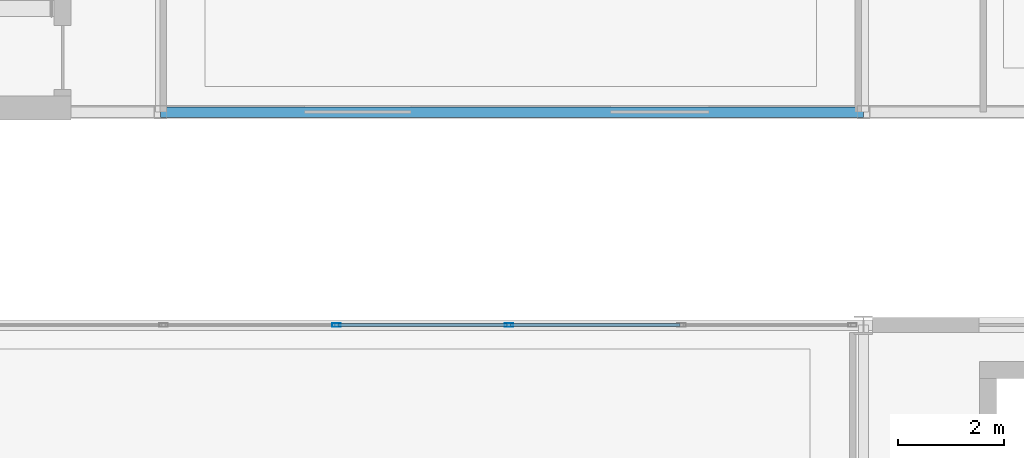
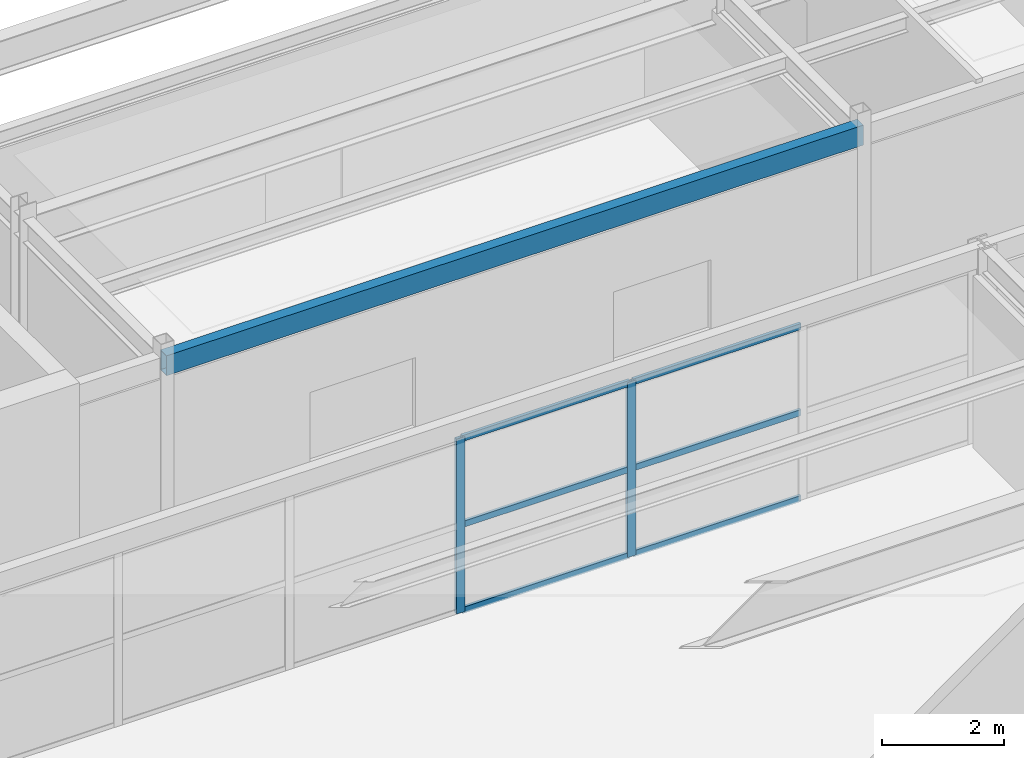
# One storey, part 21 of 147: 8 members, 1 beam, 1 element without a shape of its own.
"""IFC4 building model written with IfcOpenShell, lengths in metres."""

from ifc_helpers import new_model, si_unit, direction, frame, origin, origin_2d, place, context, subcontext, project, spatial, hollow_rectangle, extrude, material, material_profile, profile_set, type_object, element, aggregate, save


model = new_model("IFC4")

# Units and contexts
model_context = context("Model", 3, precision=1e-05, world=origin(), true_north=direction((0.0, 1.0)))
body_context = subcontext(model_context, "Body", "Model", "MODEL_VIEW")
ifc_project = project(units=[si_unit("LENGTHUNIT", "METRE"), si_unit("AREAUNIT", "SQUARE_METRE"), si_unit("VOLUMEUNIT", "CUBIC_METRE"), si_unit("PLANEANGLEUNIT", "RADIAN"), si_unit("MASSUNIT", "GRAM", prefix="KILO")], contexts=[model_context])

# Site, building, storey
site_placement = place(None, origin())
site = spatial("IfcSite", under=ifc_project, at=site_placement, CompositionType="ELEMENT")
building_placement = place(site_placement, origin())
building = spatial("IfcBuilding", under=site, at=building_placement, Name="Karori Crest Natural Sciences Institute", CompositionType="ELEMENT")
storey_placement = place(building_placement, frame((0.0, 0.0, 9.10009765625)))
storey = spatial("IfcBuildingStorey", under=building, at=storey_placement, Name="L02", CompositionType="ELEMENT", Elevation=9.10009765625)

# Beam
ifc_material_1 = material(Name="Hollow structural steel AS/NZS 1163 Grade C350", Category="steel")
ifc_material_profile_1 = material_profile(ifc_material_1, hollow_rectangle(XDim=0.199951171875, YDim=0.39990234375, WallThickness=0.012451171875, at=origin_2d()), Name="RHS400x200x12.5")
ifc_profile_set_1 = profile_set([ifc_material_profile_1], Name="Hollow structural steel AS/NZS 1163 Grade C350")
beam_type = type_object("IfcBeamType", Name="BT-14", PredefinedType="SPANDREL", material=ifc_profile_set_1)
beam_placement = place(storey_placement, frame((7.39990234375, 31.199951171875, 3.719970703125), z_axis=(1.0, 0.0, 0.0), x_axis=(0.0, 1.0, 0.0)))
element("IfcBeam", 1, at=beam_placement, inside=storey, type_object=beam_type, Name="Beam B-1077", PredefinedType="SPANDREL", context=body_context, shape_type="SweptSolid", body=[
    extrude(hollow_rectangle(XDim=0.199951171875, YDim=0.39990234375, WallThickness=0.012451171875, at=origin_2d()), origin(), (0.0, 0.0, 1.0), 13.2001953125),
])

# Curtain wall, members
ifc_material_2 = material(Name="Anodised architectural aluminium 6063-T6", Category="aluminium")
curtain_wall_type = type_object("IfcCurtainWallType", Name="CWT-16", PredefinedType="NOTDEFINED", material=ifc_material_2)
curtain_wall_placement = place(storey_placement, origin())
curtain_wall = element("IfcCurtainWall", 2, at=curtain_wall_placement, inside=storey, type_object=curtain_wall_type, Name="Curtain wall CW-0253", PredefinedType="NOTDEFINED")
ifc_material_profile_2 = material_profile(ifc_material_2, hollow_rectangle(XDim=0.06494140625, YDim=0.159912109375, WallThickness=0.00390625, at=origin_2d()), Name="CWM160x65x4")
ifc_profile_set_2 = profile_set([ifc_material_profile_2], Name="Anodised architectural aluminium 6063-T6")
member_type_1 = type_object("IfcMemberType", Name="CWM-01", PredefinedType="MULLION", material=ifc_profile_set_2)
member_1_placement = place(storey_placement, frame((10.699951171875, 27.199951171875, 0.0), z_axis=(0.0, 0.0, 1.0), x_axis=(0.0, 1.0, 0.0)))
member_1 = element("IfcMember", 3, at=member_1_placement, type_object=member_type_1, Name="CW-0253 mullion 4", PredefinedType="MULLION", context=body_context, shape_type="SweptSolid", body=[
    extrude(hollow_rectangle(XDim=0.06494140625, YDim=0.159912109375, WallThickness=0.00390625, at=origin_2d()), origin(), (0.0, 0.0, 1.0), 3.5048828125),
])
member_2_placement = place(storey_placement, frame((13.9423828125, 27.199951171875, 0.0), z_axis=(0.0, 0.0, 1.0), x_axis=(0.0, 1.0, 0.0)))
member_2 = element("IfcMember", 4, at=member_2_placement, type_object=member_type_1, Name="CW-0253 mullion 5", PredefinedType="MULLION", context=body_context, shape_type="SweptSolid", body=[
    extrude(hollow_rectangle(XDim=0.06494140625, YDim=0.159912109375, WallThickness=0.00390625, at=origin_2d()), origin(), (0.0, 0.0, 1.0), 3.5048828125),
])
ifc_material_profile_3 = material_profile(ifc_material_2, hollow_rectangle(XDim=0.06005859375, YDim=0.1201171875, WallThickness=0.00390625, at=origin_2d()), Name="CWT120x60x4")
ifc_profile_set_3 = profile_set([ifc_material_profile_3], Name="Anodised architectural aluminium 6063-T6")
member_type_2 = type_object("IfcMemberType", Name="CWT-TR1", PredefinedType="USERDEFINED", material=ifc_profile_set_3)
member_3_placement = place(storey_placement, frame((10.732421875, 27.199951171875, 0.02978515625), z_axis=(1.0, 0.0, 0.0), x_axis=(0.0, 1.0, 0.0)))
member_3 = element("IfcMember", 5, at=member_3_placement, type_object=member_type_2, Name="CW-0253 transom 4.1", ObjectType="TRANSOM", PredefinedType="USERDEFINED", context=body_context, shape_type="SweptSolid", body=[
    extrude(hollow_rectangle(XDim=0.06005859375, YDim=0.1201171875, WallThickness=0.00390625, at=origin_2d()), origin(), (0.0, 0.0, 1.0), 3.177490234375),
])
member_4_placement = place(storey_placement, frame((10.732421875, 27.199951171875, 1.75244140625), z_axis=(1.0, 0.0, 0.0), x_axis=(0.0, 1.0, 0.0)))
member_4 = element("IfcMember", 6, at=member_4_placement, type_object=member_type_2, Name="CW-0253 transom 4.2", ObjectType="TRANSOM", PredefinedType="USERDEFINED", context=body_context, shape_type="SweptSolid", body=[
    extrude(hollow_rectangle(XDim=0.06005859375, YDim=0.1201171875, WallThickness=0.00390625, at=origin_2d()), origin(), (0.0, 0.0, 1.0), 3.177490234375),
])
member_5_placement = place(storey_placement, frame((10.732421875, 27.199951171875, 3.474853515625), z_axis=(1.0, 0.0, 0.0), x_axis=(0.0, 1.0, 0.0)))
member_5 = element("IfcMember", 7, at=member_5_placement, type_object=member_type_2, Name="CW-0253 transom 4.3", ObjectType="TRANSOM", PredefinedType="USERDEFINED", context=body_context, shape_type="SweptSolid", body=[
    extrude(hollow_rectangle(XDim=0.06005859375, YDim=0.1201171875, WallThickness=0.00390625, at=origin_2d()), origin(), (0.0, 0.0, 1.0), 3.177490234375),
])
member_6_placement = place(storey_placement, frame((13.974853515625, 27.199951171875, 0.02978515625), z_axis=(1.0, 0.0, 0.0), x_axis=(0.0, 1.0, 0.0)))
member_6 = element("IfcMember", 8, at=member_6_placement, type_object=member_type_2, Name="CW-0253 transom 5.1", ObjectType="TRANSOM", PredefinedType="USERDEFINED", context=body_context, shape_type="SweptSolid", body=[
    extrude(hollow_rectangle(XDim=0.06005859375, YDim=0.1201171875, WallThickness=0.00390625, at=origin_2d()), origin(), (0.0, 0.0, 1.0), 3.17724609375),
])
member_7_placement = place(storey_placement, frame((13.974853515625, 27.199951171875, 1.75244140625), z_axis=(1.0, 0.0, 0.0), x_axis=(0.0, 1.0, 0.0)))
member_7 = element("IfcMember", 9, at=member_7_placement, type_object=member_type_2, Name="CW-0253 transom 5.2", ObjectType="TRANSOM", PredefinedType="USERDEFINED", context=body_context, shape_type="SweptSolid", body=[
    extrude(hollow_rectangle(XDim=0.06005859375, YDim=0.1201171875, WallThickness=0.00390625, at=origin_2d()), origin(), (0.0, 0.0, 1.0), 3.17724609375),
])
member_8_placement = place(storey_placement, frame((13.974853515625, 27.199951171875, 3.474853515625), z_axis=(1.0, 0.0, 0.0), x_axis=(0.0, 1.0, 0.0)))
member_8 = element("IfcMember", 10, at=member_8_placement, type_object=member_type_2, Name="CW-0253 transom 5.3", ObjectType="TRANSOM", PredefinedType="USERDEFINED", context=body_context, shape_type="SweptSolid", body=[
    extrude(hollow_rectangle(XDim=0.06005859375, YDim=0.1201171875, WallThickness=0.00390625, at=origin_2d()), origin(), (0.0, 0.0, 1.0), 3.17724609375),
])
aggregate(curtain_wall, [member_1, member_2, member_3, member_4, member_5, member_6, member_7, member_8])

save(model, "model.ifc")
